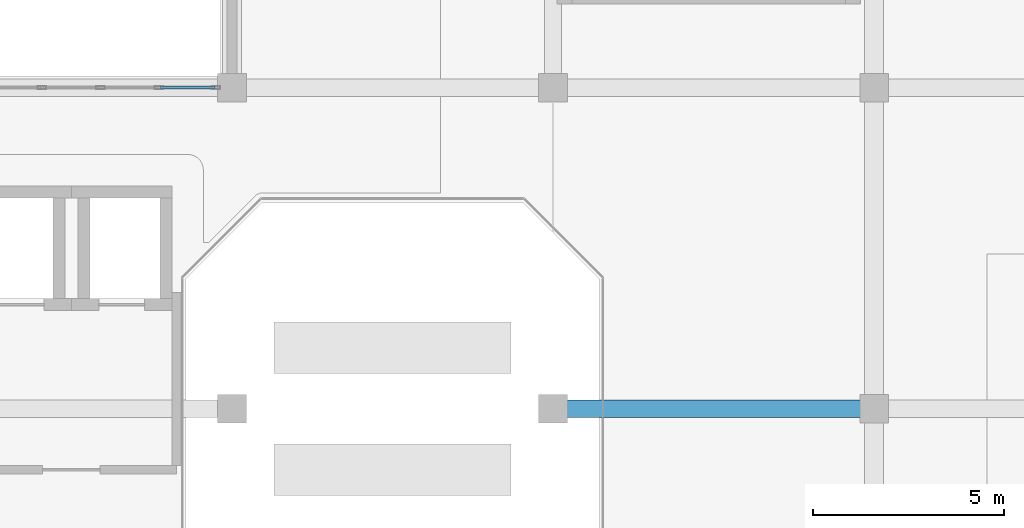
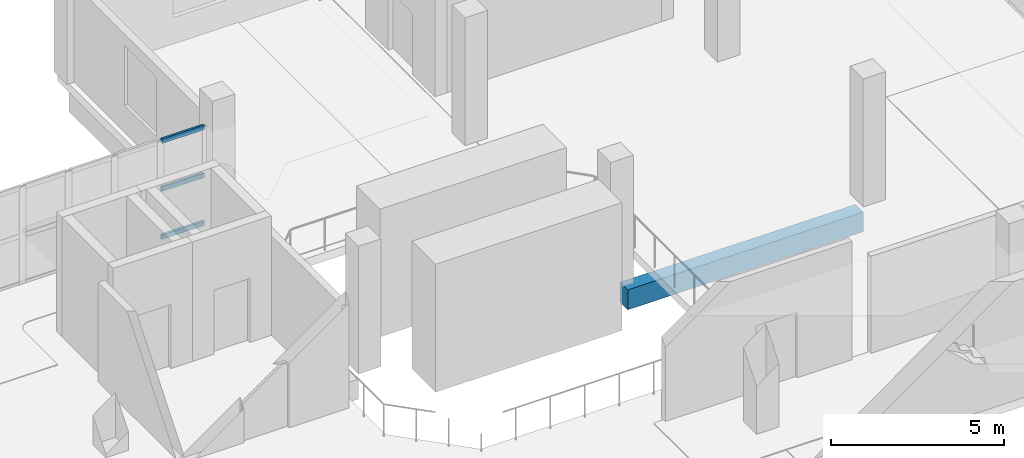
# One storey, part 11 of 30: 3 members, 1 beam, 1 element without a shape of its own.
"""IFC4 building model written with IfcOpenShell, lengths in metres."""

from ifc_helpers import new_model, si_unit, direction, frame, origin, origin_2d, place, context, subcontext, project, spatial, rectangle, hollow_rectangle, extrude, material, layer, layer_set, material_profile, profile_set, type_object, element, aggregate, save


model = new_model("IFC4")

# Units and contexts
model_context = context("Model", 3, precision=1e-05, world=origin(), true_north=direction((0.0, 1.0)))
body_context = subcontext(model_context, "Body", "Model", "MODEL_VIEW")
ifc_project = project(units=[si_unit("LENGTHUNIT", "METRE"), si_unit("AREAUNIT", "SQUARE_METRE"), si_unit("VOLUMEUNIT", "CUBIC_METRE"), si_unit("PLANEANGLEUNIT", "RADIAN"), si_unit("MASSUNIT", "GRAM", prefix="KILO")], contexts=[model_context])

# Site, building, storey
site_placement = place(None, origin())
site = spatial("IfcSite", under=ifc_project, at=site_placement, CompositionType="ELEMENT")
building_placement = place(site_placement, origin())
building = spatial("IfcBuilding", under=site, at=building_placement, Name="Xazarin Passage Department Store", CompositionType="ELEMENT")
storey_placement = place(building_placement, frame((0.0, 0.0, 23.39990234375)))
storey = spatial("IfcBuildingStorey", under=building, at=storey_placement, Name="L05", CompositionType="ELEMENT", Elevation=23.39990234375)

# Curtain wall, members
ifc_material_1 = material(Name="Bronze anodised aluminium", Category="aluminium")
ifc_layer = layer(ifc_material_1, 0.199951171875)
ifc_layer_set = layer_set([ifc_layer], Name="Bronze anodised aluminium")
curtain_wall_type = type_object("IfcCurtainWallType", Name="ARC-CW-VIT2", PredefinedType="NOTDEFINED", material=ifc_layer_set)
curtain_wall_placement = place(storey_placement, origin())
curtain_wall = element("IfcCurtainWall", 1, at=curtain_wall_placement, inside=storey, type_object=curtain_wall_type, Name="L05 V1 Curtain Wall 079", PredefinedType="NOTDEFINED")
ifc_material_profile_1 = material_profile(ifc_material_1, hollow_rectangle(XDim=0.074951171875, YDim=0.159912109375, WallThickness=0.00439453125, at=origin_2d()), Name="ALU 75x160")
ifc_profile_set_1 = profile_set([ifc_material_profile_1], Name="Bronze anodised aluminium")
member_type = type_object("IfcMemberType", Name="ARC-CWT-75x160", PredefinedType="USERDEFINED", material=ifc_profile_set_1)
member_1_placement = place(storey_placement, frame((14.9326171875, 101.60009765625, 0.03759765625), z_axis=(1.0, 0.0, 0.0), x_axis=(0.0, 1.0, 0.0)))
member_1 = element("IfcMember", 2, at=member_1_placement, type_object=member_type, Name="CW2 transom 5.1", ObjectType="TRANSOM", PredefinedType="USERDEFINED", context=body_context, shape_type="SweptSolid", body=[
    extrude(hollow_rectangle(XDim=0.074951171875, YDim=0.159912109375, WallThickness=0.00439453125, at=origin_2d()), origin(), (0.0, 0.0, 1.0), 1.41748046875),
])
member_2_placement = place(storey_placement, frame((14.9326171875, 101.60009765625, 1.72509765625), z_axis=(1.0, 0.0, 0.0), x_axis=(0.0, 1.0, 0.0)))
member_2 = element("IfcMember", 3, at=member_2_placement, type_object=member_type, Name="CW2 transom 5.2", ObjectType="TRANSOM", PredefinedType="USERDEFINED", context=body_context, shape_type="SweptSolid", body=[
    extrude(hollow_rectangle(XDim=0.074951171875, YDim=0.159912109375, WallThickness=0.00439453125, at=origin_2d()), origin(), (0.0, 0.0, 1.0), 1.41748046875),
])
member_3_placement = place(storey_placement, frame((14.9326171875, 101.60009765625, 3.41259765625), z_axis=(1.0, 0.0, 0.0), x_axis=(0.0, 1.0, 0.0)))
member_3 = element("IfcMember", 4, at=member_3_placement, type_object=member_type, Name="CW2 transom 5.3", ObjectType="TRANSOM", PredefinedType="USERDEFINED", context=body_context, shape_type="SweptSolid", body=[
    extrude(hollow_rectangle(XDim=0.074951171875, YDim=0.159912109375, WallThickness=0.00439453125, at=origin_2d()), origin(), (0.0, 0.0, 1.0), 1.41748046875),
])
aggregate(curtain_wall, [member_1, member_2, member_3])

# Beam
ifc_material_2 = material(Name="Concrete C35/45", Category="concrete")
ifc_material_profile_2 = material_profile(ifc_material_2, rectangle(XDim=0.449951171875, YDim=0.699951171875, at=origin_2d()), Name="RC 450x700")
ifc_profile_set_2 = profile_set([ifc_material_profile_2], Name="Concrete C35/45")
beam_type = type_object("IfcBeamType", Name="STR-BM-G450x700", PredefinedType="BEAM", material=ifc_profile_set_2)
beam_placement = place(storey_placement, frame((25.47998046875, 93.199951171875, -0.64990234375), z_axis=(1.0, 0.0, 0.0), x_axis=(0.0, 1.0, 0.0)))
element("IfcBeam", 5, at=beam_placement, inside=storey, type_object=beam_type, Name="L05 Grid Beam N/4-5", PredefinedType="BEAM", context=body_context, shape_type="SweptSolid", body=[
    extrude(rectangle(XDim=0.449951171875, YDim=0.699951171875, at=origin_2d()), origin(), (0.0, 0.0, 1.0), 7.840087890625),
])

save(model, "model.ifc")
